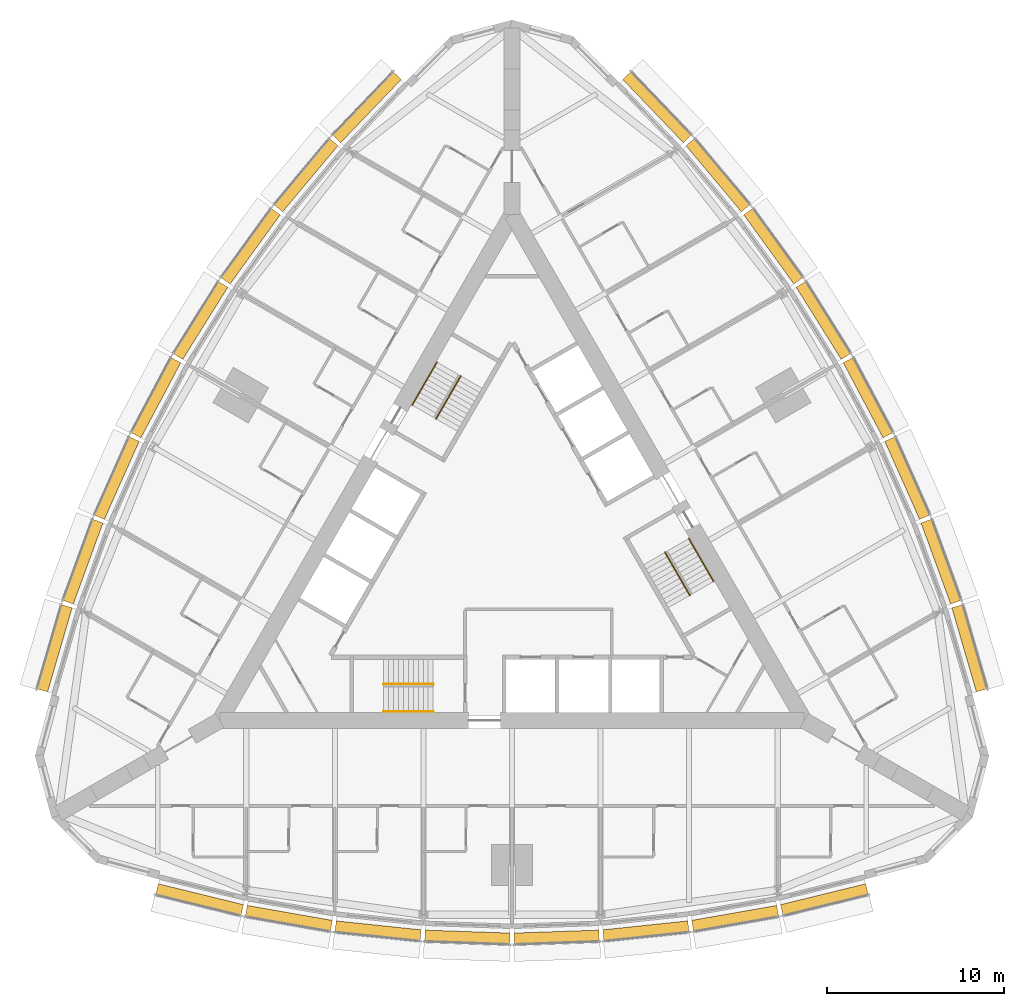
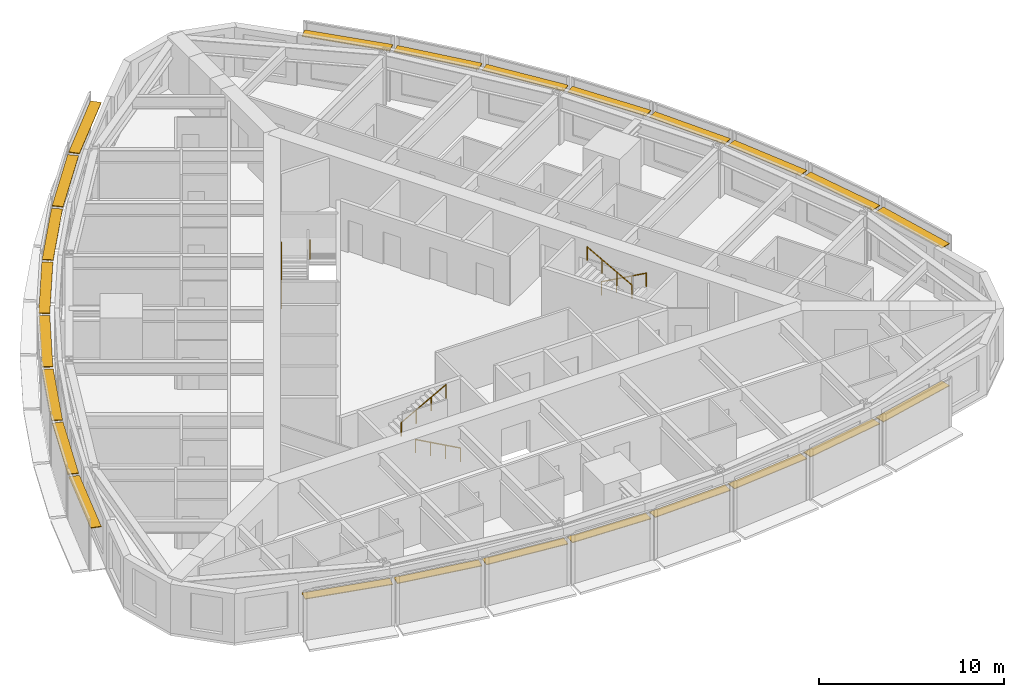
# One storey, part 14 of 14: 24 shading devices, 6 railings.
"""IFC4 building model written with IfcOpenShell, lengths in metres."""

from ifc_helpers import new_model, si_unit, direction, frame, origin, origin_2d, place, context, subcontext, project, spatial, rectangle, circle, extrude, material, type_object, element, save


model = new_model("IFC4")

# Units and contexts
model_context = context("Model", 3, precision=1e-05, world=origin(), true_north=direction((0.0, 1.0)))
body_context = subcontext(model_context, "Body", "Model", "MODEL_VIEW")
ifc_project = project(units=[si_unit("LENGTHUNIT", "METRE"), si_unit("AREAUNIT", "SQUARE_METRE"), si_unit("VOLUMEUNIT", "CUBIC_METRE"), si_unit("PLANEANGLEUNIT", "RADIAN"), si_unit("MASSUNIT", "GRAM", prefix="KILO")], contexts=[model_context])

# Site, building, storey
site_placement = place(None, origin())
site = spatial("IfcSite", under=ifc_project, at=site_placement, CompositionType="ELEMENT")
building_placement = place(site_placement, origin())
building = spatial("IfcBuilding", under=site, at=building_placement, Name="Trikona Tower", CompositionType="ELEMENT")
storey_placement = place(building_placement, frame((0.0, 0.0, 121.5)))
storey = spatial("IfcBuildingStorey", under=building, at=storey_placement, Name="L31", CompositionType="ELEMENT", Elevation=121.5)

# Shading devices
ifc_material_1 = material(Name="Aluminium louvre blade, pale anodised", Category="aluminium")
shading_device_type = type_object("IfcShadingDeviceType", Name="Cavity louvre 600", PredefinedType="USERDEFINED", material=ifc_material_1)
shading_device_1_placement = place(storey_placement, frame((-17.63330078125, -19.631591796875, 2.77490234375), z_axis=(0.0, 0.0, 1.0), x_axis=(0.971274411564, -0.237962218516, 0.0)))
element("IfcShadingDevice", 1, at=shading_device_1_placement, inside=storey, type_object=shading_device_type, Name="Cavity louvre L31-00", ObjectType="LOUVRE", PredefinedType="USERDEFINED", context=body_context, shape_type="SweptSolid", body=[
    extrude(rectangle(XDim=4.947998046875, YDim=0.60009765625, at=origin_2d()), origin(), (0.0, 0.0, 1.0), 0.050048828125),
])
shading_device_2_placement = place(storey_placement, frame((-12.596435546875, -20.689208984375, 2.77490234375), z_axis=(0.0, 0.0, 1.0), x_axis=(0.985030604067, -0.172379549401, 0.0)))
element("IfcShadingDevice", 2, at=shading_device_2_placement, inside=storey, type_object=shading_device_type, Name="Cavity louvre L31-01", ObjectType="LOUVRE", PredefinedType="USERDEFINED", context=body_context, shape_type="SweptSolid", body=[
    extrude(rectangle(XDim=4.8759765625, YDim=0.60009765625, at=origin_2d()), origin(), (0.0, 0.0, 1.0), 0.050048828125),
])
shading_device_3_placement = place(storey_placement, frame((-7.55859375, -21.39453125, 2.77490234375), z_axis=(0.0, 0.0, 1.0), x_axis=(0.994532653854, -0.104426052392, 0.0)))
element("IfcShadingDevice", 3, at=shading_device_3_placement, inside=storey, type_object=shading_device_type, Name="Cavity louvre L31-02", ObjectType="LOUVRE", PredefinedType="USERDEFINED", context=body_context, shape_type="SweptSolid", body=[
    extrude(rectangle(XDim=4.827392578125, YDim=0.60009765625, at=origin_2d()), origin(), (0.0, 0.0, 1.0), 0.050048828125),
])
for number, where, z_axis, x_axis, name in (
    (4, (-2.51953125, -21.747314453125, 2.77490234375), (0.0, 0.0, 1.0), (0.999388082937, -0.034977988567, 0.0), "Cavity louvre L31-03"),
    (5, (2.51953125, -21.747314453125, 2.77490234375), (0.0, 0.0, 1.0), (0.999388082937, 0.034977988567, 0.0), "Cavity louvre L31-04"),
):
    element("IfcShadingDevice", number, at=place(storey_placement, frame(where, z_axis=z_axis, x_axis=x_axis)), inside=storey, type_object=shading_device_type, Name=name, ObjectType="LOUVRE", PredefinedType="USERDEFINED", context=body_context, shape_type="SweptSolid", body=[
        extrude(rectangle(XDim=4.802978515625, YDim=0.60009765625, at=origin_2d()), origin(), (0.0, 0.0, 1.0), 0.050048828125),
    ])
shading_device_4_placement = place(storey_placement, frame((7.55859375, -21.39453125, 2.77490234375), z_axis=(0.0, 0.0, 1.0), x_axis=(0.994532653854, 0.104426052392, 0.0)))
element("IfcShadingDevice", 6, at=shading_device_4_placement, inside=storey, type_object=shading_device_type, Name="Cavity louvre L31-05", ObjectType="LOUVRE", PredefinedType="USERDEFINED", context=body_context, shape_type="SweptSolid", body=[
    extrude(rectangle(XDim=4.827392578125, YDim=0.60009765625, at=origin_2d()), origin(), (0.0, 0.0, 1.0), 0.050048828125),
])
shading_device_5_placement = place(storey_placement, frame((12.596435546875, -20.689208984375, 2.77490234375), z_axis=(0.0, 0.0, 1.0), x_axis=(0.985030604067, 0.172379549401, 0.0)))
element("IfcShadingDevice", 7, at=shading_device_5_placement, inside=storey, type_object=shading_device_type, Name="Cavity louvre L31-06", ObjectType="LOUVRE", PredefinedType="USERDEFINED", context=body_context, shape_type="SweptSolid", body=[
    extrude(rectangle(XDim=4.8759765625, YDim=0.60009765625, at=origin_2d()), origin(), (0.0, 0.0, 1.0), 0.050048828125),
])
shading_device_6_placement = place(storey_placement, frame((17.63330078125, -19.631591796875, 2.77490234375), z_axis=(0.0, 0.0, 1.0), x_axis=(0.971274411564, 0.237962218516, 0.0)))
element("IfcShadingDevice", 8, at=shading_device_6_placement, inside=storey, type_object=shading_device_type, Name="Cavity louvre L31-07", ObjectType="LOUVRE", PredefinedType="USERDEFINED", context=body_context, shape_type="SweptSolid", body=[
    extrude(rectangle(XDim=4.947998046875, YDim=0.60009765625, at=origin_2d()), origin(), (0.0, 0.0, 1.0), 0.050048828125),
])
shading_device_7_placement = place(storey_placement, frame((25.818115234375, -5.455078125, 2.77490234375), z_axis=(0.0, 0.0, 1.0), x_axis=(-0.279554203664, 0.960129911634, 0.0)))
element("IfcShadingDevice", 9, at=shading_device_7_placement, inside=storey, type_object=shading_device_type, Name="Cavity louvre L31-12", ObjectType="LOUVRE", PredefinedType="USERDEFINED", context=body_context, shape_type="SweptSolid", body=[
    extrude(rectangle(XDim=4.94775390625, YDim=0.60009765625, at=origin_2d()), origin(), (0.0, 0.0, 1.0), 0.050048828125),
])
shading_device_8_placement = place(storey_placement, frame((24.2158203125, -0.564208984375, 2.77490234375), z_axis=(0.0, 0.0, 1.0), x_axis=(-0.343220397324, 0.939254895575, 0.0)))
element("IfcShadingDevice", 10, at=shading_device_8_placement, inside=storey, type_object=shading_device_type, Name="Cavity louvre L31-13", ObjectType="LOUVRE", PredefinedType="USERDEFINED", context=body_context, shape_type="SweptSolid", body=[
    extrude(rectangle(XDim=4.8759765625, YDim=0.60009765625, at=origin_2d()), origin(), (0.0, 0.0, 1.0), 0.050048828125),
])
shading_device_9_placement = place(storey_placement, frame((22.3076171875, 4.151611328125, 2.77490234375), z_axis=(0.0, 0.0, 1.0), x_axis=(-0.406843467615, 0.913497888809, 0.0)))
element("IfcShadingDevice", 11, at=shading_device_9_placement, inside=storey, type_object=shading_device_type, Name="Cavity louvre L31-14", ObjectType="LOUVRE", PredefinedType="USERDEFINED", context=body_context, shape_type="SweptSolid", body=[
    extrude(rectangle(XDim=4.827392578125, YDim=0.60009765625, at=origin_2d()), origin(), (0.0, 0.0, 1.0), 0.050048828125),
])
for number, where, z_axis, x_axis, name in (
    (12, (20.093505859375, 8.691650390625, 2.77490234375), (0.0, 0.0, 1.0), (-0.469397591494, 0.882986920118, 0.0), "Cavity louvre L31-15"),
    (13, (17.573974609375, 13.0556640625, 2.77490234375), (0.0, 0.0, 1.0), (-0.529994748414, 0.848000923734, 0.0), "Cavity louvre L31-16"),
):
    element("IfcShadingDevice", number, at=place(storey_placement, frame(where, z_axis=z_axis, x_axis=x_axis)), inside=storey, type_object=shading_device_type, Name=name, ObjectType="LOUVRE", PredefinedType="USERDEFINED", context=body_context, shape_type="SweptSolid", body=[
        extrude(rectangle(XDim=4.802978515625, YDim=0.60009765625, at=origin_2d()), origin(), (0.0, 0.0, 1.0), 0.050048828125),
    ])
shading_device_10_placement = place(storey_placement, frame((14.7490234375, 17.2431640625, 2.77490234375), z_axis=(0.0, 0.0, 1.0), x_axis=(-0.587686407834, 0.809088799853, 0.0)))
element("IfcShadingDevice", 14, at=shading_device_10_placement, inside=storey, type_object=shading_device_type, Name="Cavity louvre L31-17", ObjectType="LOUVRE", PredefinedType="USERDEFINED", context=body_context, shape_type="SweptSolid", body=[
    extrude(rectangle(XDim=4.827392578125, YDim=0.60009765625, at=origin_2d()), origin(), (0.0, 0.0, 1.0), 0.050048828125),
])
shading_device_11_placement = place(storey_placement, frame((11.619140625, 21.253662109375, 2.77490234375), z_axis=(0.0, 0.0, 1.0), x_axis=(-0.641807063101, 0.766866151133, 0.0)))
element("IfcShadingDevice", 15, at=shading_device_11_placement, inside=storey, type_object=shading_device_type, Name="Cavity louvre L31-18", ObjectType="LOUVRE", PredefinedType="USERDEFINED", context=body_context, shape_type="SweptSolid", body=[
    extrude(rectangle(XDim=4.8759765625, YDim=0.60009765625, at=origin_2d()), origin(), (0.0, 0.0, 1.0), 0.050048828125),
])
for number, where, z_axis, x_axis, name in (
    (16, (8.184814453125, 25.086669921875, 2.77490234375), (0.0, 0.0, 1.0), (-0.691723573819, 0.722162376078, 0.0), "Cavity louvre L31-19"),
    (17, (-8.184814453125, 25.086669921875, 2.77490234375), (0.0, 0.0, 1.0), (-0.691723573819, -0.722162376078, 0.0), "Cavity louvre L31-24"),
):
    element("IfcShadingDevice", number, at=place(storey_placement, frame(where, z_axis=z_axis, x_axis=x_axis)), inside=storey, type_object=shading_device_type, Name=name, ObjectType="LOUVRE", PredefinedType="USERDEFINED", context=body_context, shape_type="SweptSolid", body=[
        extrude(rectangle(XDim=4.947998046875, YDim=0.60009765625, at=origin_2d()), origin(), (0.0, 0.0, 1.0), 0.050048828125),
    ])
shading_device_12_placement = place(storey_placement, frame((-11.619140625, 21.253662109375, 2.77490234375), z_axis=(0.0, 0.0, 1.0), x_axis=(-0.641807063101, -0.766866151133, 0.0)))
element("IfcShadingDevice", 18, at=shading_device_12_placement, inside=storey, type_object=shading_device_type, Name="Cavity louvre L31-25", ObjectType="LOUVRE", PredefinedType="USERDEFINED", context=body_context, shape_type="SweptSolid", body=[
    extrude(rectangle(XDim=4.8759765625, YDim=0.60009765625, at=origin_2d()), origin(), (0.0, 0.0, 1.0), 0.050048828125),
])
shading_device_13_placement = place(storey_placement, frame((-14.7490234375, 17.2431640625, 2.77490234375), z_axis=(0.0, 0.0, 1.0), x_axis=(-0.587686407834, -0.809088799853, 0.0)))
element("IfcShadingDevice", 19, at=shading_device_13_placement, inside=storey, type_object=shading_device_type, Name="Cavity louvre L31-26", ObjectType="LOUVRE", PredefinedType="USERDEFINED", context=body_context, shape_type="SweptSolid", body=[
    extrude(rectangle(XDim=4.827392578125, YDim=0.60009765625, at=origin_2d()), origin(), (0.0, 0.0, 1.0), 0.050048828125),
])
for number, where, z_axis, x_axis, name in (
    (20, (-17.573974609375, 13.0556640625, 2.77490234375), (0.0, 0.0, 1.0), (-0.529994748414, -0.848000923734, 0.0), "Cavity louvre L31-27"),
    (21, (-20.093505859375, 8.691650390625, 2.77490234375), (0.0, 0.0, 1.0), (-0.469397591494, -0.882986920118, 0.0), "Cavity louvre L31-28"),
):
    element("IfcShadingDevice", number, at=place(storey_placement, frame(where, z_axis=z_axis, x_axis=x_axis)), inside=storey, type_object=shading_device_type, Name=name, ObjectType="LOUVRE", PredefinedType="USERDEFINED", context=body_context, shape_type="SweptSolid", body=[
        extrude(rectangle(XDim=4.802978515625, YDim=0.60009765625, at=origin_2d()), origin(), (0.0, 0.0, 1.0), 0.050048828125),
    ])
shading_device_14_placement = place(storey_placement, frame((-22.3076171875, 4.151611328125, 2.77490234375), z_axis=(0.0, 0.0, 1.0), x_axis=(-0.406843467615, -0.913497888809, 0.0)))
element("IfcShadingDevice", 22, at=shading_device_14_placement, inside=storey, type_object=shading_device_type, Name="Cavity louvre L31-29", ObjectType="LOUVRE", PredefinedType="USERDEFINED", context=body_context, shape_type="SweptSolid", body=[
    extrude(rectangle(XDim=4.827392578125, YDim=0.60009765625, at=origin_2d()), origin(), (0.0, 0.0, 1.0), 0.050048828125),
])
shading_device_15_placement = place(storey_placement, frame((-24.2158203125, -0.564208984375, 2.77490234375), z_axis=(0.0, 0.0, 1.0), x_axis=(-0.343220397324, -0.939254895575, 0.0)))
element("IfcShadingDevice", 23, at=shading_device_15_placement, inside=storey, type_object=shading_device_type, Name="Cavity louvre L31-30", ObjectType="LOUVRE", PredefinedType="USERDEFINED", context=body_context, shape_type="SweptSolid", body=[
    extrude(rectangle(XDim=4.8759765625, YDim=0.60009765625, at=origin_2d()), origin(), (0.0, 0.0, 1.0), 0.050048828125),
])
shading_device_16_placement = place(storey_placement, frame((-25.818115234375, -5.455078125, 2.77490234375), z_axis=(0.0, 0.0, 1.0), x_axis=(-0.279554203664, -0.960129911634, 0.0)))
element("IfcShadingDevice", 24, at=shading_device_16_placement, inside=storey, type_object=shading_device_type, Name="Cavity louvre L31-31", ObjectType="LOUVRE", PredefinedType="USERDEFINED", context=body_context, shape_type="SweptSolid", body=[
    extrude(rectangle(XDim=4.94775390625, YDim=0.60009765625, at=origin_2d()), origin(), (0.0, 0.0, 1.0), 0.050048828125),
])

# Railings
ifc_material_2 = material(Name="Stainless steel handrail", Category="steel")
railing_type = type_object("IfcRailingType", Name="Stair handrail", PredefinedType="HANDRAIL", material=ifc_material_2)
railing_1_placement = place(storey_placement, frame((-4.449951171875, -9.016357421875, 0.154541015625)))
element("IfcRailing", 25, at=railing_1_placement, inside=storey, type_object=railing_type, Name="Stair handrail A L31 1", PredefinedType="HANDRAIL", context=body_context, shape_type="SweptSolid", body=[
    extrude(circle(Radius=0.02392578125, at=origin_2d()), frame((0.0, 0.0, 0.8759765625), z_axis=(-0.875504190374, 0.0, 0.483210526207), x_axis=(0.0, -1.0, 0.0)), (0.0, 0.0, 1.0), 3.1982421875),
    extrude(circle(Radius=0.02099609375, at=origin_2d()), origin(), (0.0, 0.0, 1.0), 0.851806640625),
    extrude(circle(Radius=0.02099609375, at=origin_2d()), frame((-0.933349609375, 0.0, 0.51513671875)), (0.0, 0.0, 1.0), 0.851806640625),
    extrude(circle(Radius=0.02099609375, at=origin_2d()), frame((-1.86669921875, 0.0, 1.0302734375)), (0.0, 0.0, 1.0), 0.851806640625),
    extrude(circle(Radius=0.02099609375, at=origin_2d()), frame((-2.800048828125, 0.0, 1.54541015625)), (0.0, 0.0, 1.0), 0.851806640625),
])
railing_2_placement = place(storey_placement, frame((-7.25, -7.46630859375, 1.8544921875)))
element("IfcRailing", 26, at=railing_2_placement, inside=storey, type_object=railing_type, Name="Stair handrail A L31 2", PredefinedType="HANDRAIL", context=body_context, shape_type="SweptSolid", body=[
    extrude(circle(Radius=0.02392578125, at=origin_2d()), frame((0.0, 0.0, 0.8759765625), z_axis=(0.875504190374, 0.0, 0.483210526207), x_axis=(0.0, 1.0, 0.0)), (0.0, 0.0, 1.0), 3.1982421875),
    extrude(circle(Radius=0.02099609375, at=origin_2d()), origin(), (0.0, 0.0, 1.0), 0.851806640625),
    extrude(circle(Radius=0.02099609375, at=origin_2d()), frame((0.933349609375, 0.0, 0.51513671875)), (0.0, 0.0, 1.0), 0.851806640625),
    extrude(circle(Radius=0.02099609375, at=origin_2d()), frame((1.86669921875, 0.0, 1.0302734375)), (0.0, 0.0, 1.0), 0.851806640625),
    extrude(circle(Radius=0.02099609375, at=origin_2d()), frame((2.800048828125, 0.0, 1.54541015625)), (0.0, 0.0, 1.0), 0.851806640625),
])
railing_3_placement = place(storey_placement, frame((9.9833984375, 0.740966796875, 0.154541015625)))
element("IfcRailing", 27, at=railing_3_placement, inside=storey, type_object=railing_type, Name="Stair handrail B L31 1", PredefinedType="HANDRAIL", context=body_context, shape_type="SweptSolid", body=[
    extrude(circle(Radius=0.02392578125, at=origin_2d()), frame((0.0, 0.0, 0.8759765625), z_axis=(0.437707188162, -0.758239536103, 0.483203087036), x_axis=(0.866056369097, 0.49994636267, 0.0)), (0.0, 0.0, 1.0), 3.1982421875),
    extrude(circle(Radius=0.02099609375, at=origin_2d()), origin(), (0.0, 0.0, 1.0), 0.851806640625),
    extrude(circle(Radius=0.02099609375, at=origin_2d()), frame((0.466552734375, -0.808349609375, 0.51513671875)), (0.0, 0.0, 1.0), 0.851806640625),
    extrude(circle(Radius=0.02099609375, at=origin_2d()), frame((0.933349609375, -1.61669921875, 1.0302734375)), (0.0, 0.0, 1.0), 0.851806640625),
    extrude(circle(Radius=0.02099609375, at=origin_2d()), frame((1.39990234375, -2.425048828125, 1.54541015625)), (0.0, 0.0, 1.0), 0.851806640625),
])
railing_4_placement = place(storey_placement, frame((10.041015625, -2.458984375, 1.8544921875)))
element("IfcRailing", 28, at=railing_4_placement, inside=storey, type_object=railing_type, Name="Stair handrail B L31 2", PredefinedType="HANDRAIL", context=body_context, shape_type="SweptSolid", body=[
    extrude(circle(Radius=0.02392578125, at=origin_2d()), frame((0.0, 0.0, 0.8759765625), z_axis=(-0.437707188162, 0.758239536103, 0.483203087036), x_axis=(-0.866056369097, -0.49994636267, 0.0)), (0.0, 0.0, 1.0), 3.1982421875),
    extrude(circle(Radius=0.02099609375, at=origin_2d()), origin(), (0.0, 0.0, 1.0), 0.851806640625),
    extrude(circle(Radius=0.02099609375, at=origin_2d()), frame((-0.466552734375, 0.808349609375, 0.51513671875)), (0.0, 0.0, 1.0), 0.851806640625),
    extrude(circle(Radius=0.02099609375, at=origin_2d()), frame((-0.933349609375, 1.61669921875, 1.0302734375)), (0.0, 0.0, 1.0), 0.851806640625),
    extrude(circle(Radius=0.02099609375, at=origin_2d()), frame((-1.39990234375, 2.425048828125, 1.54541015625)), (0.0, 0.0, 1.0), 0.851806640625),
])
railing_5_placement = place(storey_placement, frame((-5.63330078125, 8.275390625, 0.154541015625)))
element("IfcRailing", 29, at=railing_5_placement, inside=storey, type_object=railing_type, Name="Stair handrail C L31 1", PredefinedType="HANDRAIL", context=body_context, shape_type="SweptSolid", body=[
    extrude(circle(Radius=0.02392578125, at=origin_2d()), frame((0.0, 0.0, 0.8759765625), z_axis=(0.437732523806, 0.758207085183, 0.483231056102), x_axis=(-0.866034573852, 0.49998411664, 0.0)), (0.0, 0.0, 1.0), 3.197998046875),
    extrude(circle(Radius=0.02099609375, at=origin_2d()), origin(), (0.0, 0.0, 1.0), 0.851806640625),
    extrude(circle(Radius=0.02099609375, at=origin_2d()), frame((0.466552734375, 0.808349609375, 0.51513671875)), (0.0, 0.0, 1.0), 0.851806640625),
    extrude(circle(Radius=0.02099609375, at=origin_2d()), frame((0.933349609375, 1.616455078125, 1.0302734375)), (0.0, 0.0, 1.0), 0.851806640625),
    extrude(circle(Radius=0.02099609375, at=origin_2d()), frame((1.39990234375, 2.4248046875, 1.54541015625)), (0.0, 0.0, 1.0), 0.851806640625),
])
railing_6_placement = place(storey_placement, frame((-2.89111328125, 9.92529296875, 1.8544921875)))
element("IfcRailing", 30, at=railing_6_placement, inside=storey, type_object=railing_type, Name="Stair handrail C L31 2", PredefinedType="HANDRAIL", context=body_context, shape_type="SweptSolid", body=[
    extrude(circle(Radius=0.02392578125, at=origin_2d()), frame((0.0, 0.0, 0.8759765625), z_axis=(-0.437707188162, -0.758239536103, 0.483203087036), x_axis=(0.866056369097, -0.49994636267, 0.0)), (0.0, 0.0, 1.0), 3.1982421875),
    extrude(circle(Radius=0.02099609375, at=origin_2d()), origin(), (0.0, 0.0, 1.0), 0.851806640625),
    extrude(circle(Radius=0.02099609375, at=origin_2d()), frame((-0.466552734375, -0.808349609375, 0.51513671875)), (0.0, 0.0, 1.0), 0.851806640625),
    extrude(circle(Radius=0.02099609375, at=origin_2d()), frame((-0.933349609375, -1.61669921875, 1.0302734375)), (0.0, 0.0, 1.0), 0.851806640625),
    extrude(circle(Radius=0.02099609375, at=origin_2d()), frame((-1.39990234375, -2.425048828125, 1.54541015625)), (0.0, 0.0, 1.0), 0.851806640625),
])

save(model, "model.ifc")
